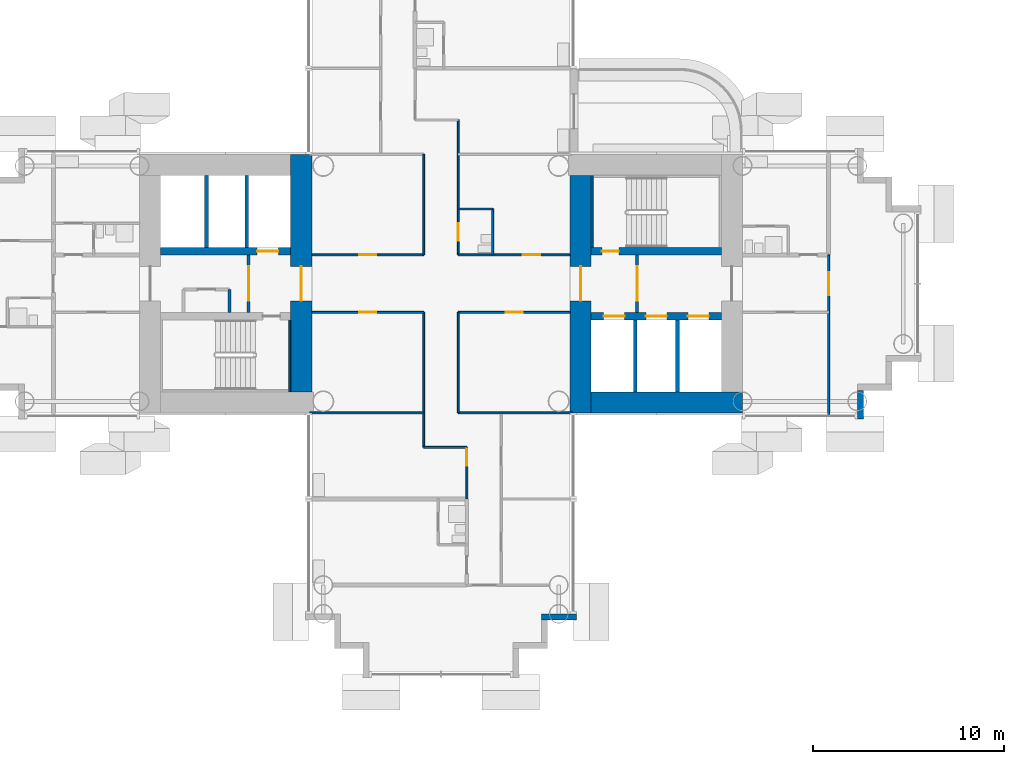
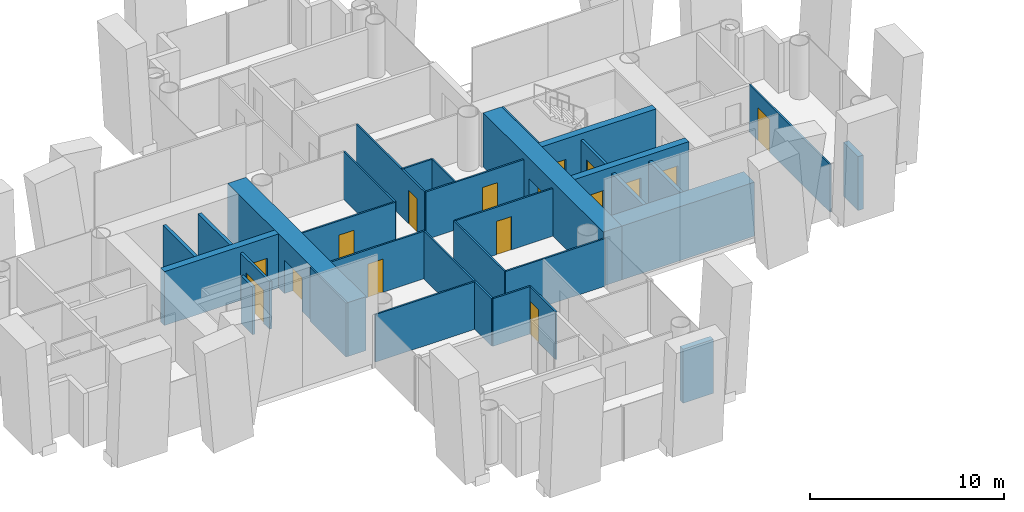
# One storey, part 11 of 23: 32 walls, 16 doors, 16 openings.
"""IFC4 building model written with IfcOpenShell, lengths in metres."""

from ifc_helpers import new_model, si_unit, direction, frame, frame_2d, origin, place, context, subcontext, project, spatial, rectangle, extrude, material, layer, layer_set, type_object, element, fill, save


model = new_model("IFC4")

# Units and contexts
model_context = context("Model", 3, precision=1e-05, world=origin(), true_north=direction((0.0, 1.0)))
body_context = subcontext(model_context, "Body", "Model", "MODEL_VIEW")
ifc_project = project(units=[si_unit("LENGTHUNIT", "METRE"), si_unit("AREAUNIT", "SQUARE_METRE"), si_unit("VOLUMEUNIT", "CUBIC_METRE"), si_unit("PLANEANGLEUNIT", "RADIAN"), si_unit("MASSUNIT", "GRAM", prefix="KILO")], contexts=[model_context])

# Site, building, storey
site_placement = place(None, origin())
site = spatial("IfcSite", under=ifc_project, at=site_placement, CompositionType="ELEMENT")
building_placement = place(site_placement, origin())
building = spatial("IfcBuilding", under=site, at=building_placement, Name="Ipe Terrace Towers", CompositionType="ELEMENT")
storey_placement = place(building_placement, frame((0.0, 0.0, 51.699951171875)))
storey = spatial("IfcBuildingStorey", under=building, at=storey_placement, Name="L13", CompositionType="ELEMENT", Elevation=51.699951171875)

# Walls
ifc_material_1 = material(Name="Concrete C40/50 with buff precast cladding", Category="concrete")
ifc_layer_1 = layer(ifc_material_1, 0.320068359375)
ifc_layer_set_1 = layer_set([ifc_layer_1], Name="BUFF CLADDING WALL 320")
wall_type_1 = type_object("IfcWallType", Name="BUFF CLADDING WALL 320", PredefinedType="STANDARD", material=ifc_layer_set_1)
wall_1_placement = place(storey_placement, frame((-30.75, -17.409912109375, -0.300048828125), z_axis=(0.0, 0.0, 1.0), x_axis=(1.0, 0.0, 0.0)))
element("IfcWall", 1, at=wall_1_placement, inside=storey, type_object=wall_type_1, Name="T1-W-L13-16a wall", PredefinedType="STANDARD", context=body_context, shape_type="SweptSolid", body=[
    extrude(rectangle(XDim=1.820068359375, YDim=0.320068359375, at=frame_2d((0.91015625, 0.0))), origin(), (0.0, 0.0, 1.0), 3.400146484375),
])
wall_2_placement = place(storey_placement, frame((-14.090087890625, -7.070068359375, -0.300048828125), z_axis=(0.0, 0.0, 1.0), x_axis=(0.0, 1.0, 0.0)))
element("IfcWall", 2, at=wall_2_placement, inside=storey, type_object=wall_type_1, Name="T1-W-L13-21a wall", PredefinedType="STANDARD", context=body_context, shape_type="SweptSolid", body=[
    extrude(rectangle(XDim=1.5, YDim=0.320068359375, at=frame_2d((0.75, 0.0))), origin(), (0.0, 0.0, 1.0), 3.400146484375),
])
ifc_material_2 = material(Name="Gypsum board partition", Category="plasterboard")
ifc_layer_2 = layer(ifc_material_2, 0.10009765625)
ifc_layer_set_2 = layer_set([ifc_layer_2], Name="Gypsum board partition 100 mm")
wall_type_2 = type_object("IfcWallType", Name="Gypsum board partition 100 mm", PredefinedType="PARTITIONING", material=ifc_layer_set_2)
wall_3_placement = place(storey_placement, frame((-36.89990234375, -8.550048828125, 0.0), z_axis=(0.0, 0.0, 1.0), x_axis=(0.0, 1.0, 0.0)))
element("IfcWall", 3, at=wall_3_placement, inside=storey, type_object=wall_type_2, Name="Gypsum board partition T1 L13 W07", PredefinedType="PARTITIONING", context=body_context, shape_type="SweptSolid", body=[
    extrude(rectangle(XDim=7.050048828125, YDim=0.10009765625, at=frame_2d((3.52490234375, 0.0))), origin(), (0.0, 0.0, 1.0), 3.0),
])
for number, where, z_axis, x_axis, name in (
    (4, (-36.89990234375, 1.5, 0.0), (0.0, 0.0, 1.0), (0.0, 1.0, 0.0), "Gypsum board partition T1 L13 W08"),
    (5, (-35.10009765625, -6.75, 0.0), (0.0, 0.0, 1.0), (0.0, 1.0, 0.0), "Gypsum board partition T1 L13 W11"),
):
    element("IfcWall", number, at=place(storey_placement, frame(where, z_axis=z_axis, x_axis=x_axis)), inside=storey, type_object=wall_type_2, Name=name, PredefinedType="PARTITIONING", context=body_context, shape_type="SweptSolid", body=[
        extrude(rectangle(XDim=5.25, YDim=0.10009765625, at=frame_2d((2.625, 0.0))), origin(), (0.0, 0.0, 1.0), 3.0),
    ])

# Wall, opening, door
wall_4_placement = place(storey_placement, frame((-35.10009765625, 1.5, 0.0), z_axis=(0.0, 0.0, 1.0), x_axis=(0.0, 1.0, 0.0)))
wall_4 = element("IfcWall", 6, at=wall_4_placement, inside=storey, type_object=wall_type_2, Name="Gypsum board partition T1 L13 W12", PredefinedType="PARTITIONING", context=body_context, shape_type="SweptSolid", body=[
    extrude(rectangle(XDim=7.050048828125, YDim=0.10009765625, at=frame_2d((3.52490234375, 0.0))), origin(), (0.0, 0.0, 1.0), 3.0),
])
opening_1_placement = place(wall_4_placement, frame((0.75, 0.0, 0.0)))
opening_1 = element("IfcOpeningElement", 7, at=opening_1_placement, cuts=wall_4, Name="Opening T1-Z1C-01", PredefinedType="OPENING", context=body_context, shape_type="SweptSolid", body=[
    extrude(rectangle(XDim=0.89990234375, YDim=2.10009765625, at=frame_2d((0.449951171875, 1.050048828125))), frame((0.0, 0.06005859375, 0.0), z_axis=(0.0, -1.0, 0.0), x_axis=(1.0, 0.0, 0.0)), (0.0, 0.0, 1.0), 0.1201171875),
])
ifc_material_3 = material(Name="Timber door leaf", Category="wood")
door_type_1 = type_object("IfcDoorType", Name="Bathroom door 900 x 2100", OperationType="NOTDEFINED", PredefinedType="DOOR", material=ifc_material_3)
door_1_placement = place(opening_1_placement, origin())
door_1 = element("IfcDoor", 8, at=door_1_placement, inside=storey, type_object=door_type_1, Name="Bathroom door T1-Z1C-01", OperationType="SINGLE_SWING_LEFT", OverallHeight=2.10009765625, OverallWidth=0.89990234375, PredefinedType="DOOR", context=body_context, shape_type="SweptSolid", body=[
    extrude(rectangle(XDim=0.89990234375, YDim=2.10009765625, at=frame_2d((0.449951171875, 1.050048828125))), frame((0.0, 0.02490234375, 0.0), z_axis=(0.0, -1.0, 0.0), x_axis=(1.0, 0.0, 0.0)), (0.0, 0.0, 1.0), 0.050048828125),
])
fill(opening_1, door_1)

wall_5_placement = place(storey_placement, frame((-34.64990234375, -11.25, 0.0), z_axis=(0.0, 0.0, 1.0), x_axis=(0.0, 1.0, 0.0)))
wall_5 = element("IfcWall", 9, at=wall_5_placement, inside=storey, type_object=wall_type_2, Name="Gypsum board partition T1 L13 W13", PredefinedType="PARTITIONING", context=body_context, shape_type="SweptSolid", body=[
    extrude(rectangle(XDim=2.699951171875, YDim=0.10009765625, at=frame_2d((1.35009765625, 0.0))), origin(), (0.0, 0.0, 1.0), 3.0),
])
opening_2_placement = place(wall_5_placement, frame((1.72998046875, 0.0, 0.0)))
opening_2 = element("IfcOpeningElement", 10, at=opening_2_placement, cuts=wall_5, Name="Opening T1-Z1C-14", PredefinedType="OPENING", context=body_context, shape_type="SweptSolid", body=[
    extrude(rectangle(XDim=0.89990234375, YDim=2.10009765625, at=frame_2d((0.449951171875, 1.050048828125))), frame((0.0, 0.06005859375, 0.0), z_axis=(0.0, -1.0, 0.0), x_axis=(1.0, 0.0, 0.0)), (0.0, 0.0, 1.0), 0.1201171875),
])
ifc_material_4 = material(Name="Timber door leaf", Category="wood")
door_type_2 = type_object("IfcDoorType", Name="Lounge door 900 x 2100", OperationType="NOTDEFINED", PredefinedType="DOOR", material=ifc_material_4)
door_2_placement = place(opening_2_placement, origin())
door_2 = element("IfcDoor", 11, at=door_2_placement, inside=storey, type_object=door_type_2, Name="Lounge door T1-Z1C-14", OperationType="SINGLE_SWING_LEFT", OverallHeight=2.10009765625, OverallWidth=0.89990234375, PredefinedType="DOOR", context=body_context, shape_type="SweptSolid", body=[
    extrude(rectangle(XDim=0.89990234375, YDim=2.10009765625, at=frame_2d((0.449951171875, 1.050048828125))), frame((0.0, 0.02490234375, 0.0), z_axis=(0.0, -1.0, 0.0), x_axis=(1.0, 0.0, 0.0)), (0.0, 0.0, 1.0), 0.050048828125),
])
fill(opening_2, door_2)

# Wall
wall_6_placement = place(storey_placement, frame((-33.300048828125, 1.5, 0.0), z_axis=(0.0, 0.0, 1.0), x_axis=(0.0, 1.0, 0.0)))
element("IfcWall", 12, at=wall_6_placement, inside=storey, type_object=wall_type_2, Name="Gypsum board partition T1 L13 W15", PredefinedType="PARTITIONING", context=body_context, shape_type="SweptSolid", body=[
    extrude(rectangle(XDim=2.39990234375, YDim=0.10009765625, at=frame_2d((1.199951171875, 0.0))), origin(), (0.0, 0.0, 1.0), 3.0),
])

# Wall, opening, door
wall_7_placement = place(storey_placement, frame((-15.75, -6.85009765625, 0.0), z_axis=(0.0, 0.0, 1.0), x_axis=(0.0, 1.0, 0.0)))
wall_7 = element("IfcWall", 13, at=wall_7_placement, inside=storey, type_object=wall_type_2, Name="Gypsum board partition T1 L13 W18", PredefinedType="PARTITIONING", context=body_context, shape_type="SweptSolid", body=[
    extrude(rectangle(XDim=8.35009765625, YDim=0.10009765625, at=frame_2d((4.175048828125, 0.0))), origin(), (0.0, 0.0, 1.0), 3.0),
])
opening_3_placement = place(wall_7_placement, frame((6.25, 0.0, 0.0)))
opening_3 = element("IfcOpeningElement", 14, at=opening_3_placement, cuts=wall_7, Name="Opening T1-Z1C-21", PredefinedType="OPENING", context=body_context, shape_type="SweptSolid", body=[
    extrude(rectangle(XDim=1.199951171875, YDim=2.10009765625, at=frame_2d((0.60009765625, 1.050048828125))), frame((0.0, 0.06005859375, 0.0), z_axis=(0.0, -1.0, 0.0), x_axis=(1.0, 0.0, 0.0)), (0.0, 0.0, 1.0), 0.1201171875),
])
ifc_material_5 = material(Name="Timber door leaf", Category="wood")
door_type_3 = type_object("IfcDoorType", Name="Lounge door 1200 x 2100", OperationType="NOTDEFINED", PredefinedType="DOOR", material=ifc_material_5)
door_3_placement = place(opening_3_placement, origin())
door_3 = element("IfcDoor", 15, at=door_3_placement, inside=storey, type_object=door_type_3, Name="Lounge door T1-Z1C-21", OperationType="SINGLE_SWING_RIGHT", OverallHeight=2.10009765625, OverallWidth=1.199951171875, PredefinedType="DOOR", context=body_context, shape_type="SweptSolid", body=[
    extrude(rectangle(XDim=1.199951171875, YDim=2.10009765625, at=frame_2d((0.60009765625, 1.050048828125))), frame((0.0, 0.02490234375, 0.0), z_axis=(0.0, -1.0, 0.0), x_axis=(1.0, 0.0, 0.0)), (0.0, 0.0, 1.0), 0.050048828125),
])
fill(opening_3, door_3)

# Walls
wall_8_placement = place(storey_placement, frame((-36.89990234375, -8.550048828125, 0.0), z_axis=(0.0, 0.0, 1.0), x_axis=(1.0, 0.0, 0.0)))
element("IfcWall", 16, at=wall_8_placement, inside=storey, type_object=wall_type_2, Name="Gypsum board partition T1 L13 W25", PredefinedType="PARTITIONING", context=body_context, shape_type="SweptSolid", body=[
    extrude(rectangle(XDim=2.25, YDim=0.10009765625, at=frame_2d((1.125, 0.0))), origin(), (0.0, 0.0, 1.0), 3.0),
])
for number, where, z_axis, x_axis, name in (
    (17, (-42.85009765625, -6.75, 0.0), (0.0, 0.0, 1.0), (1.0, 0.0, 0.0), "Gypsum board partition T1 L13 W26"),
    (18, (-35.10009765625, -6.75, 0.0), (0.0, 0.0, 1.0), (1.0, 0.0, 0.0), "Gypsum board partition T1 L13 W27"),
):
    element("IfcWall", number, at=place(storey_placement, frame(where, z_axis=z_axis, x_axis=x_axis)), inside=storey, type_object=wall_type_2, Name=name, PredefinedType="PARTITIONING", context=body_context, shape_type="SweptSolid", body=[
        extrude(rectangle(XDim=5.9501953125, YDim=0.10009765625, at=frame_2d((2.97509765625, 0.0))), origin(), (0.0, 0.0, 1.0), 3.0),
    ])

# Wall, opening, door
wall_9_placement = place(storey_placement, frame((-42.75, -1.5, 0.0), z_axis=(0.0, 0.0, 1.0), x_axis=(1.0, 0.0, 0.0)))
wall_9 = element("IfcWall", 19, at=wall_9_placement, inside=storey, type_object=wall_type_2, Name="Gypsum board partition T1 L13 W30", PredefinedType="PARTITIONING", context=body_context, shape_type="SweptSolid", body=[
    extrude(rectangle(XDim=5.85009765625, YDim=0.10009765625, at=frame_2d((2.925048828125, 0.0))), origin(), (0.0, 0.0, 1.0), 3.0),
])
opening_4_placement = place(wall_9_placement, frame((2.47509765625, 0.0, 0.0)))
opening_4 = element("IfcOpeningElement", 20, at=opening_4_placement, cuts=wall_9, Name="Opening T1-Z1C-04", PredefinedType="OPENING", context=body_context, shape_type="SweptSolid", body=[
    extrude(rectangle(XDim=0.89990234375, YDim=2.10009765625, at=frame_2d((0.449951171875, 1.050048828125))), frame((0.0, 0.06005859375, 0.0), z_axis=(0.0, -1.0, 0.0), x_axis=(1.0, 0.0, 0.0)), (0.0, 0.0, 1.0), 0.1201171875),
])
door_4_placement = place(opening_4_placement, origin())
door_4 = element("IfcDoor", 21, at=door_4_placement, inside=storey, type_object=door_type_2, Name="Lounge door T1-Z1C-04", OperationType="SINGLE_SWING_LEFT", OverallHeight=2.10009765625, OverallWidth=0.89990234375, PredefinedType="DOOR", context=body_context, shape_type="SweptSolid", body=[
    extrude(rectangle(XDim=0.89990234375, YDim=2.10009765625, at=frame_2d((0.449951171875, 1.050048828125))), frame((0.0, 0.02490234375, 0.0), z_axis=(0.0, -1.0, 0.0), x_axis=(1.0, 0.0, 0.0)), (0.0, 0.0, 1.0), 0.050048828125),
])
fill(opening_4, door_4)

wall_10_placement = place(storey_placement, frame((-35.10009765625, -1.5, 0.0), z_axis=(0.0, 0.0, 1.0), x_axis=(1.0, 0.0, 0.0)))
wall_10 = element("IfcWall", 22, at=wall_10_placement, inside=storey, type_object=wall_type_2, Name="Gypsum board partition T1 L13 W31", PredefinedType="PARTITIONING", context=body_context, shape_type="SweptSolid", body=[
    extrude(rectangle(XDim=5.85009765625, YDim=0.10009765625, at=frame_2d((2.925048828125, 0.0))), origin(), (0.0, 0.0, 1.0), 3.0),
])
opening_5_placement = place(wall_10_placement, frame((2.47509765625, 0.0, 0.0)))
opening_5 = element("IfcOpeningElement", 23, at=opening_5_placement, cuts=wall_10, Name="Opening T1-Z1C-05", PredefinedType="OPENING", context=body_context, shape_type="SweptSolid", body=[
    extrude(rectangle(XDim=0.89990234375, YDim=2.10009765625, at=frame_2d((0.449951171875, 1.050048828125))), frame((0.0, 0.06005859375, 0.0), z_axis=(0.0, -1.0, 0.0), x_axis=(1.0, 0.0, 0.0)), (0.0, 0.0, 1.0), 0.1201171875),
])
door_5_placement = place(opening_5_placement, origin())
door_5 = element("IfcDoor", 24, at=door_5_placement, inside=storey, type_object=door_type_2, Name="Lounge door T1-Z1C-05", OperationType="SINGLE_SWING_RIGHT", OverallHeight=2.10009765625, OverallWidth=0.89990234375, PredefinedType="DOOR", context=body_context, shape_type="SweptSolid", body=[
    extrude(rectangle(XDim=0.89990234375, YDim=2.10009765625, at=frame_2d((0.449951171875, 1.050048828125))), frame((0.0, 0.02490234375, 0.0), z_axis=(0.0, -1.0, 0.0), x_axis=(1.0, 0.0, 0.0)), (0.0, 0.0, 1.0), 0.050048828125),
])
fill(opening_5, door_5)

wall_11_placement = place(storey_placement, frame((-42.75, 1.5, 0.0), z_axis=(0.0, 0.0, 1.0), x_axis=(1.0, 0.0, 0.0)))
wall_11 = element("IfcWall", 25, at=wall_11_placement, inside=storey, type_object=wall_type_2, Name="Gypsum board partition T1 L13 W34", PredefinedType="PARTITIONING", context=body_context, shape_type="SweptSolid", body=[
    extrude(rectangle(XDim=5.85009765625, YDim=0.10009765625, at=frame_2d((2.925048828125, 0.0))), origin(), (0.0, 0.0, 1.0), 3.0),
])
opening_6_placement = place(wall_11_placement, frame((2.47509765625, 0.0, 0.0)))
opening_6 = element("IfcOpeningElement", 26, at=opening_6_placement, cuts=wall_11, Name="Opening T1-Z1C-03", PredefinedType="OPENING", context=body_context, shape_type="SweptSolid", body=[
    extrude(rectangle(XDim=0.89990234375, YDim=2.10009765625, at=frame_2d((0.449951171875, 1.050048828125))), frame((0.0, 0.06005859375, 0.0), z_axis=(0.0, -1.0, 0.0), x_axis=(1.0, 0.0, 0.0)), (0.0, 0.0, 1.0), 0.1201171875),
])
door_6_placement = place(opening_6_placement, origin())
door_6 = element("IfcDoor", 27, at=door_6_placement, inside=storey, type_object=door_type_2, Name="Lounge door T1-Z1C-03", OperationType="SINGLE_SWING_RIGHT", OverallHeight=2.10009765625, OverallWidth=0.89990234375, PredefinedType="DOOR", context=body_context, shape_type="SweptSolid", body=[
    extrude(rectangle(XDim=0.89990234375, YDim=2.10009765625, at=frame_2d((0.449951171875, 1.050048828125))), frame((0.0, 0.02490234375, 0.0), z_axis=(0.0, -1.0, 0.0), x_axis=(1.0, 0.0, 0.0)), (0.0, 0.0, 1.0), 0.050048828125),
])
fill(opening_6, door_6)

wall_12_placement = place(storey_placement, frame((-35.10009765625, 1.5, 0.0), z_axis=(0.0, 0.0, 1.0), x_axis=(1.0, 0.0, 0.0)))
wall_12 = element("IfcWall", 28, at=wall_12_placement, inside=storey, type_object=wall_type_2, Name="Gypsum board partition T1 L13 W35", PredefinedType="PARTITIONING", context=body_context, shape_type="SweptSolid", body=[
    extrude(rectangle(XDim=5.85009765625, YDim=0.10009765625, at=frame_2d((2.925048828125, 0.0))), origin(), (0.0, 0.0, 1.0), 3.0),
])
opening_7_placement = place(wall_12_placement, frame((3.375, 0.0, 0.0)))
opening_7 = element("IfcOpeningElement", 29, at=opening_7_placement, cuts=wall_12, Name="Opening T1-Z1C-02", PredefinedType="OPENING", context=body_context, shape_type="SweptSolid", body=[
    extrude(rectangle(XDim=0.89990234375, YDim=2.10009765625, at=frame_2d((0.449951171875, 1.050048828125))), frame((0.0, 0.06005859375, 0.0), z_axis=(0.0, -1.0, 0.0), x_axis=(1.0, 0.0, 0.0)), (0.0, 0.0, 1.0), 0.1201171875),
])
door_7_placement = place(opening_7_placement, origin())
door_7 = element("IfcDoor", 30, at=door_7_placement, inside=storey, type_object=door_type_2, Name="Lounge door T1-Z1C-02", OperationType="SINGLE_SWING_LEFT", OverallHeight=2.10009765625, OverallWidth=0.89990234375, PredefinedType="DOOR", context=body_context, shape_type="SweptSolid", body=[
    extrude(rectangle(XDim=0.89990234375, YDim=2.10009765625, at=frame_2d((0.449951171875, 1.050048828125))), frame((0.0, 0.02490234375, 0.0), z_axis=(0.0, -1.0, 0.0), x_axis=(1.0, 0.0, 0.0)), (0.0, 0.0, 1.0), 0.050048828125),
])
fill(opening_7, door_7)

# Wall
wall_13_placement = place(storey_placement, frame((-35.10009765625, 3.89990234375, 0.0), z_axis=(0.0, 0.0, 1.0), x_axis=(1.0, 0.0, 0.0)))
element("IfcWall", 31, at=wall_13_placement, inside=storey, type_object=wall_type_2, Name="Gypsum board partition T1 L13 W41", PredefinedType="PARTITIONING", context=body_context, shape_type="SweptSolid", body=[
    extrude(rectangle(XDim=1.800048828125, YDim=0.10009765625, at=frame_2d((0.89990234375, 0.0))), origin(), (0.0, 0.0, 1.0), 3.0),
])

# Wall, opening, door
ifc_material_6 = material(Name="Gypsum board partition", Category="plasterboard")
ifc_layer_3 = layer(ifc_material_6, 0.14990234375)
ifc_layer_set_3 = layer_set([ifc_layer_3], Name="Gypsum board partition 150 mm")
wall_type_3 = type_object("IfcWallType", Name="Gypsum board partition 150 mm", PredefinedType="PARTITIONING", material=ifc_layer_set_3)
wall_14_placement = place(storey_placement, frame((-25.75, -1.5, 0.0), z_axis=(0.0, 0.0, 1.0), x_axis=(0.0, 1.0, 0.0)))
wall_14 = element("IfcWall", 32, at=wall_14_placement, inside=storey, type_object=wall_type_3, Name="Gypsum board partition T1 L13 t1c1-lobby-wall", PredefinedType="PARTITIONING", context=body_context, shape_type="SweptSolid", body=[
    extrude(rectangle(XDim=3.0, YDim=0.14990234375, at=frame_2d((1.5, 0.0))), origin(), (0.0, 0.0, 1.0), 3.0),
])
opening_8_placement = place(wall_14_placement, frame((0.60009765625, 0.0, 0.0)))
opening_8 = element("IfcOpeningElement", 33, at=opening_8_placement, cuts=wall_14, Name="Opening T1C1-VD", PredefinedType="OPENING", context=body_context, shape_type="SweptSolid", body=[
    extrude(rectangle(XDim=1.800048828125, YDim=2.10009765625, at=frame_2d((0.89990234375, 1.050048828125))), frame((0.0, 0.0849609375, 0.0), z_axis=(0.0, -1.0, 0.0), x_axis=(1.0, 0.0, 0.0)), (0.0, 0.0, 1.0), 0.169921875),
])
ifc_material_7 = material(Name="Fire-rated timber door leaf", Category="wood")
door_type_4 = type_object("IfcDoorType", Name="Lobby door 1800 x 2100 FD60", OperationType="NOTDEFINED", PredefinedType="DOOR", material=ifc_material_7)
door_8_placement = place(opening_8_placement, origin())
door_8 = element("IfcDoor", 34, at=door_8_placement, inside=storey, type_object=door_type_4, Name="Lobby door T1C1-VD", OperationType="SINGLE_SWING_LEFT", OverallHeight=2.10009765625, OverallWidth=1.800048828125, PredefinedType="DOOR", context=body_context, shape_type="SweptSolid", body=[
    extrude(rectangle(XDim=1.800048828125, YDim=2.10009765625, at=frame_2d((0.89990234375, 1.050048828125))), frame((0.0, 0.02490234375, 0.0), z_axis=(0.0, -1.0, 0.0), x_axis=(1.0, 0.0, 0.0)), (0.0, 0.0, 1.0), 0.050048828125),
])
fill(opening_8, door_8)

wall_15_placement = place(storey_placement, frame((-46.050048828125, 1.5, 0.0), z_axis=(0.0, 0.0, 1.0), x_axis=(0.0, -1.0, 0.0)))
wall_15 = element("IfcWall", 35, at=wall_15_placement, inside=storey, type_object=wall_type_3, Name="Gypsum board partition T1 L13 t1c2-lobby-wall", PredefinedType="PARTITIONING", context=body_context, shape_type="SweptSolid", body=[
    extrude(rectangle(XDim=3.0, YDim=0.14990234375, at=frame_2d((1.5, 0.0))), origin(), (0.0, 0.0, 1.0), 3.0),
])
opening_9_placement = place(wall_15_placement, frame((0.60009765625, 0.0, 0.0)))
opening_9 = element("IfcOpeningElement", 36, at=opening_9_placement, cuts=wall_15, Name="Opening T1C2-VD", PredefinedType="OPENING", context=body_context, shape_type="SweptSolid", body=[
    extrude(rectangle(XDim=1.800048828125, YDim=2.10009765625, at=frame_2d((0.89990234375, 1.050048828125))), frame((0.0, 0.0849609375, 0.0), z_axis=(0.0, -1.0, 0.0), x_axis=(1.0, 0.0, 0.0)), (0.0, 0.0, 1.0), 0.169921875),
])
door_9_placement = place(opening_9_placement, origin())
door_9 = element("IfcDoor", 37, at=door_9_placement, inside=storey, type_object=door_type_4, Name="Lobby door T1C2-VD", OperationType="SINGLE_SWING_LEFT", OverallHeight=2.10009765625, OverallWidth=1.800048828125, PredefinedType="DOOR", context=body_context, shape_type="SweptSolid", body=[
    extrude(rectangle(XDim=1.800048828125, YDim=2.10009765625, at=frame_2d((0.89990234375, 1.050048828125))), frame((0.0, 0.02490234375, 0.0), z_axis=(0.0, -1.0, 0.0), x_axis=(1.0, 0.0, 0.0)), (0.0, 0.0, 1.0), 0.050048828125),
])
fill(opening_9, door_9)

# Walls
wall_16_placement = place(storey_placement, frame((-47.050048828125, -0.300048828125, 0.0), z_axis=(0.0, 0.0, 1.0), x_axis=(0.0, -1.0, 0.0)))
element("IfcWall", 38, at=wall_16_placement, inside=storey, type_object=wall_type_3, Name="Gypsum board partition T1 L13 t1c2-cup-n-a", PredefinedType="PARTITIONING", context=body_context, shape_type="SweptSolid", body=[
    extrude(rectangle(XDim=1.199951171875, YDim=0.14990234375, at=frame_2d((0.60009765625, 0.0))), origin(), (0.0, 0.0, 1.0), 3.0),
])
ifc_material_8 = material(Name="Gypsum board party wall", Category="plasterboard")
ifc_layer_4 = layer(ifc_material_8, 0.199951171875)
ifc_layer_set_4 = layer_set([ifc_layer_4], Name="Gypsum board party wall 200 mm")
wall_type_4 = type_object("IfcWallType", Name="Gypsum board party wall 200 mm", PredefinedType="SOLIDWALL", material=ifc_layer_set_4)
for number, where, z_axis, x_axis, name in (
    (39, (-25.85009765625, -5.64990234375, 0.0), (0.0, 0.0, 1.0), (0.0, 1.0, 0.0), "Gypsum board party wall T1 L13 t1c1-shaft-div1"),
    (40, (-23.64990234375, -5.64990234375, 0.0), (0.0, 0.0, 1.0), (0.0, 1.0, 0.0), "Gypsum board party wall T1 L13 t1c1-shaft-div2"),
    (41, (-46.14990234375, 5.64990234375, 0.0), (0.0, 0.0, 1.0), (0.0, -1.0, 0.0), "Gypsum board party wall T1 L13 t1c2-shaft-div1"),
    (42, (-48.25, 5.64990234375, 0.0), (0.0, 0.0, 1.0), (0.0, -1.0, 0.0), "Gypsum board party wall T1 L13 t1c2-shaft-div2"),
):
    element("IfcWall", number, at=place(storey_placement, frame(where, z_axis=z_axis, x_axis=x_axis)), inside=storey, type_object=wall_type_4, Name=name, PredefinedType="SOLIDWALL", context=body_context, shape_type="SweptSolid", body=[
        extrude(rectangle(XDim=3.75, YDim=0.199951171875, at=frame_2d((1.875, 0.0))), origin(), (0.0, 0.0, 1.0), 3.0),
    ])
ifc_material_9 = material(Name="Concrete C60/75", Category="concrete")
ifc_layer_5 = layer(ifc_material_9, 0.10009765625)
ifc_layer_set_5 = layer_set([ifc_layer_5], Name="RW100 CORE INFILL WALL 100 C60-75")
wall_type_5 = type_object("IfcWallType", Name="RW100 CORE INFILL WALL 100 C60-75", PredefinedType="SHEAR", material=ifc_layer_set_5)
for number, where, z_axis, x_axis, name in (
    (43, (-28.10009765625, 1.89990234375, 0.0), (0.0, 0.0, 1.0), (0.0, 1.0, 0.0), "Core infill wall T1-C1-near"),
    (44, (-43.89990234375, -1.89990234375, 0.0), (0.0, 0.0, 1.0), (0.0, -1.0, 0.0), "Core infill wall T1-C2-near"),
):
    element("IfcWall", number, at=place(storey_placement, frame(where, z_axis=z_axis, x_axis=x_axis)), inside=storey, type_object=wall_type_5, Name=name, PredefinedType="SHEAR", context=body_context, shape_type="SweptSolid", body=[
        extrude(rectangle(XDim=3.75, YDim=0.10009765625, at=frame_2d((1.875, 0.0))), origin(), (0.0, 0.0, 1.0), 3.400146484375),
    ])
ifc_material_10 = material(Name="Concrete C60/75", Category="concrete")
ifc_layer_6 = layer(ifc_material_10, 1.10009765625)
ifc_layer_set_6 = layer_set([ifc_layer_6], Name="RW1100 CORE WALL 1100 C60-75")
wall_type_6 = type_object("IfcWallType", Name="RW1100 CORE WALL 1100 C60-75", PredefinedType="SHEAR", material=ifc_layer_set_6)
wall_17_placement = place(storey_placement, frame((-28.14990234375, -6.199951171875, 0.0), z_axis=(0.0, 0.0, 1.0), x_axis=(1.0, 0.0, 0.0)))
element("IfcWall", 45, at=wall_17_placement, inside=storey, type_object=wall_type_6, Name="Core wall T1-C1-Z1-W01", PredefinedType="SHEAR", context=body_context, shape_type="SweptSolid", body=[
    extrude(rectangle(XDim=7.89990234375, YDim=1.10009765625, at=frame_2d((3.949951171875, 0.0))), origin(), (0.0, 0.0, 1.0), 3.400146484375),
])

# Wall, opening, door
wall_18_placement = place(storey_placement, frame((-28.699951171875, 5.64990234375, 0.0), z_axis=(0.0, 0.0, 1.0), x_axis=(0.0, -1.0, 0.0)))
wall_18 = element("IfcWall", 46, at=wall_18_placement, inside=storey, type_object=wall_type_6, Name="Core wall T1-C1-Z1-W04", PredefinedType="SHEAR", context=body_context, shape_type="SweptSolid", body=[
    extrude(rectangle(XDim=12.39990234375, YDim=1.10009765625, at=frame_2d((6.199951171875, 0.0))), origin(), (0.0, 0.0, 1.0), 3.400146484375),
])
opening_10_placement = place(wall_18_placement, frame((4.75, 0.0, 0.0)))
opening_10 = element("IfcOpeningElement", 47, at=opening_10_placement, cuts=wall_18, Name="Opening T1C1-ND", PredefinedType="OPENING", context=body_context, shape_type="SweptSolid", body=[
    extrude(rectangle(XDim=1.800048828125, YDim=2.10009765625, at=frame_2d((0.89990234375, 1.050048828125))), frame((0.0, 0.56005859375, 0.0), z_axis=(0.0, -1.0, 0.0), x_axis=(1.0, 0.0, 0.0)), (0.0, 0.0, 1.0), 1.1201171875),
])
ifc_material_11 = material(Name="Fire-rated timber door leaf", Category="wood")
door_type_5 = type_object("IfcDoorType", Name="Fire door 1800 x 2100 FD30S", OperationType="NOTDEFINED", PredefinedType="DOOR", material=ifc_material_11)
door_10_placement = place(opening_10_placement, origin())
door_10 = element("IfcDoor", 48, at=door_10_placement, inside=storey, type_object=door_type_5, Name="Fire door T1C1-ND", OperationType="SINGLE_SWING_LEFT", OverallHeight=2.10009765625, OverallWidth=1.800048828125, PredefinedType="DOOR", context=body_context, shape_type="SweptSolid", body=[
    extrude(rectangle(XDim=1.800048828125, YDim=2.10009765625, at=frame_2d((0.89990234375, 1.050048828125))), frame((0.0, 0.02490234375, 0.0), z_axis=(0.0, -1.0, 0.0), x_axis=(1.0, 0.0, 0.0)), (0.0, 0.0, 1.0), 0.050048828125),
])
fill(opening_10, door_10)

wall_19_placement = place(storey_placement, frame((-43.300048828125, -5.64990234375, 0.0), z_axis=(0.0, 0.0, 1.0), x_axis=(0.0, 1.0, 0.0)))
wall_19 = element("IfcWall", 49, at=wall_19_placement, inside=storey, type_object=wall_type_6, Name="Core wall T1-C2-Z1-W02", PredefinedType="SHEAR", context=body_context, shape_type="SweptSolid", body=[
    extrude(rectangle(XDim=12.39990234375, YDim=1.10009765625, at=frame_2d((6.199951171875, 0.0))), origin(), (0.0, 0.0, 1.0), 3.400146484375),
])
opening_11_placement = place(wall_19_placement, frame((4.75, 0.0, 0.0)))
opening_11 = element("IfcOpeningElement", 50, at=opening_11_placement, cuts=wall_19, Name="Opening T1C2-ND", PredefinedType="OPENING", context=body_context, shape_type="SweptSolid", body=[
    extrude(rectangle(XDim=1.800048828125, YDim=2.10009765625, at=frame_2d((0.89990234375, 1.050048828125))), frame((0.0, 0.56005859375, 0.0), z_axis=(0.0, -1.0, 0.0), x_axis=(1.0, 0.0, 0.0)), (0.0, 0.0, 1.0), 1.1201171875),
])
door_11_placement = place(opening_11_placement, origin())
door_11 = element("IfcDoor", 51, at=door_11_placement, inside=storey, type_object=door_type_5, Name="Fire door T1C2-ND", OperationType="SINGLE_SWING_LEFT", OverallHeight=2.10009765625, OverallWidth=1.800048828125, PredefinedType="DOOR", context=body_context, shape_type="SweptSolid", body=[
    extrude(rectangle(XDim=1.800048828125, YDim=2.10009765625, at=frame_2d((0.89990234375, 1.050048828125))), frame((0.0, 0.02490234375, 0.0), z_axis=(0.0, -1.0, 0.0), x_axis=(1.0, 0.0, 0.0)), (0.0, 0.0, 1.0), 0.050048828125),
])
fill(opening_11, door_11)

# Wall, openings, doors
ifc_material_12 = material(Name="Concrete C60/75", Category="concrete")
ifc_layer_7 = layer(ifc_material_12, 0.39990234375)
ifc_layer_set_7 = layer_set([ifc_layer_7], Name="RW400 CORE SPINE WALL 400 C60-75")
wall_type_7 = type_object("IfcWallType", Name="RW400 CORE SPINE WALL 400 C60-75", PredefinedType="SHEAR", material=ifc_layer_set_7)
wall_20_placement = place(storey_placement, frame((-28.14990234375, -1.699951171875, 0.0), z_axis=(0.0, 0.0, 1.0), x_axis=(1.0, 0.0, 0.0)))
wall_20 = element("IfcWall", 52, at=wall_20_placement, inside=storey, type_object=wall_type_7, Name="Core spine wall T1-C1-Z1-SW1", PredefinedType="SHEAR", context=body_context, shape_type="SweptSolid", body=[
    extrude(rectangle(XDim=6.7998046875, YDim=0.39990234375, at=frame_2d((3.39990234375, 0.0))), origin(), (0.0, 0.0, 1.0), 3.400146484375),
])
opening_12_placement = place(wall_20_placement, frame((0.64990234375, 0.0, 0.0)))
opening_12 = element("IfcOpeningElement", 53, at=opening_12_placement, cuts=wall_20, Name="Opening T1C1-LD1", PredefinedType="OPENING", context=body_context, shape_type="SweptSolid", body=[
    extrude(rectangle(XDim=1.10009765625, YDim=2.10009765625, at=frame_2d((0.550048828125, 1.050048828125))), frame((0.0, 0.2099609375, 0.0), z_axis=(0.0, -1.0, 0.0), x_axis=(1.0, 0.0, 0.0)), (0.0, 0.0, 1.0), 0.419921875),
])
opening_13_placement = place(wall_20_placement, frame((2.85009765625, 0.0, 0.0)))
opening_13 = element("IfcOpeningElement", 54, at=opening_13_placement, cuts=wall_20, Name="Opening T1C1-LD2", PredefinedType="OPENING", context=body_context, shape_type="SweptSolid", body=[
    extrude(rectangle(XDim=1.10009765625, YDim=2.10009765625, at=frame_2d((0.550048828125, 1.050048828125))), frame((0.0, 0.2099609375, 0.0), z_axis=(0.0, -1.0, 0.0), x_axis=(1.0, 0.0, 0.0)), (0.0, 0.0, 1.0), 0.419921875),
])
opening_14_placement = place(wall_20_placement, frame((5.050048828125, 0.0, 0.0)))
opening_14 = element("IfcOpeningElement", 55, at=opening_14_placement, cuts=wall_20, Name="Opening T1C1-LD3", PredefinedType="OPENING", context=body_context, shape_type="SweptSolid", body=[
    extrude(rectangle(XDim=1.10009765625, YDim=2.10009765625, at=frame_2d((0.550048828125, 1.050048828125))), frame((0.0, 0.2099609375, 0.0), z_axis=(0.0, -1.0, 0.0), x_axis=(1.0, 0.0, 0.0)), (0.0, 0.0, 1.0), 0.419921875),
])
ifc_material_13 = material(Name="Fire-rated timber door leaf", Category="wood")
door_type_6 = type_object("IfcDoorType", Name="Sliding door 1100 x 2100 FD60", OperationType="SLIDING_TO_LEFT", PredefinedType="DOOR", material=ifc_material_13)
door_12_placement = place(opening_12_placement, origin())
door_12 = element("IfcDoor", 56, at=door_12_placement, inside=storey, type_object=door_type_6, Name="Sliding door T1C1-LD1", OperationType="SLIDING_TO_LEFT", OverallHeight=2.10009765625, OverallWidth=1.10009765625, PredefinedType="DOOR", context=body_context, shape_type="SweptSolid", body=[
    extrude(rectangle(XDim=1.10009765625, YDim=2.10009765625, at=frame_2d((0.550048828125, 1.050048828125))), frame((0.0, 0.02490234375, 0.0), z_axis=(0.0, -1.0, 0.0), x_axis=(1.0, 0.0, 0.0)), (0.0, 0.0, 1.0), 0.050048828125),
])
fill(opening_12, door_12)
door_13_placement = place(opening_13_placement, origin())
door_13 = element("IfcDoor", 57, at=door_13_placement, inside=storey, type_object=door_type_6, Name="Sliding door T1C1-LD2", OperationType="SLIDING_TO_LEFT", OverallHeight=2.10009765625, OverallWidth=1.10009765625, PredefinedType="DOOR", context=body_context, shape_type="SweptSolid", body=[
    extrude(rectangle(XDim=1.10009765625, YDim=2.10009765625, at=frame_2d((0.550048828125, 1.050048828125))), frame((0.0, 0.02490234375, 0.0), z_axis=(0.0, -1.0, 0.0), x_axis=(1.0, 0.0, 0.0)), (0.0, 0.0, 1.0), 0.050048828125),
])
fill(opening_13, door_13)
door_14_placement = place(opening_14_placement, origin())
door_14 = element("IfcDoor", 58, at=door_14_placement, inside=storey, type_object=door_type_6, Name="Sliding door T1C1-LD3", OperationType="SLIDING_TO_LEFT", OverallHeight=2.10009765625, OverallWidth=1.10009765625, PredefinedType="DOOR", context=body_context, shape_type="SweptSolid", body=[
    extrude(rectangle(XDim=1.10009765625, YDim=2.10009765625, at=frame_2d((0.550048828125, 1.050048828125))), frame((0.0, 0.02490234375, 0.0), z_axis=(0.0, -1.0, 0.0), x_axis=(1.0, 0.0, 0.0)), (0.0, 0.0, 1.0), 0.050048828125),
])
fill(opening_14, door_14)

# Wall, opening, door
wall_21_placement = place(storey_placement, frame((-28.14990234375, 1.699951171875, 0.0), z_axis=(0.0, 0.0, 1.0), x_axis=(1.0, 0.0, 0.0)))
wall_21 = element("IfcWall", 59, at=wall_21_placement, inside=storey, type_object=wall_type_7, Name="Core spine wall T1-C1-Z1-SW2", PredefinedType="SHEAR", context=body_context, shape_type="SweptSolid", body=[
    extrude(rectangle(XDim=6.7998046875, YDim=0.39990234375, at=frame_2d((3.39990234375, 0.0))), origin(), (0.0, 0.0, 1.0), 3.400146484375),
])
opening_15_placement = place(wall_21_placement, frame((0.550048828125, 0.0, 0.0)))
opening_15 = element("IfcOpeningElement", 60, at=opening_15_placement, cuts=wall_21, Name="Opening T1C1-SD", PredefinedType="OPENING", context=body_context, shape_type="SweptSolid", body=[
    extrude(rectangle(XDim=0.89990234375, YDim=2.10009765625, at=frame_2d((0.449951171875, 1.050048828125))), frame((0.0, 0.2099609375, 0.0), z_axis=(0.0, -1.0, 0.0), x_axis=(1.0, 0.0, 0.0)), (0.0, 0.0, 1.0), 0.419921875),
])
ifc_material_14 = material(Name="Fire-rated timber door leaf", Category="wood")
door_type_7 = type_object("IfcDoorType", Name="Stair door 900 x 2100 FD60", OperationType="NOTDEFINED", PredefinedType="DOOR", material=ifc_material_14)
door_15_placement = place(opening_15_placement, origin())
door_15 = element("IfcDoor", 61, at=door_15_placement, inside=storey, type_object=door_type_7, Name="Stair door T1C1-SD", OperationType="SINGLE_SWING_LEFT", OverallHeight=2.10009765625, OverallWidth=0.89990234375, PredefinedType="DOOR", context=body_context, shape_type="SweptSolid", body=[
    extrude(rectangle(XDim=0.89990234375, YDim=2.10009765625, at=frame_2d((0.449951171875, 1.050048828125))), frame((0.0, 0.02490234375, 0.0), z_axis=(0.0, -1.0, 0.0), x_axis=(1.0, 0.0, 0.0)), (0.0, 0.0, 1.0), 0.050048828125),
])
fill(opening_15, door_15)

wall_22_placement = place(storey_placement, frame((-50.64990234375, 1.699951171875, 0.0), z_axis=(0.0, 0.0, 1.0), x_axis=(1.0, 0.0, 0.0)))
wall_22 = element("IfcWall", 62, at=wall_22_placement, inside=storey, type_object=wall_type_7, Name="Core spine wall T1-C2-Z1-SW2", PredefinedType="SHEAR", context=body_context, shape_type="SweptSolid", body=[
    extrude(rectangle(XDim=6.7998046875, YDim=0.39990234375, at=frame_2d((3.39990234375, 0.0))), origin(), (0.0, 0.0, 1.0), 3.400146484375),
])
opening_16_placement = place(wall_22_placement, frame((5.050048828125, 0.0, 0.0)))
opening_16 = element("IfcOpeningElement", 63, at=opening_16_placement, cuts=wall_22, Name="Opening T1C2-LD1", PredefinedType="OPENING", context=body_context, shape_type="SweptSolid", body=[
    extrude(rectangle(XDim=1.10009765625, YDim=2.10009765625, at=frame_2d((0.550048828125, 1.050048828125))), frame((0.0, 0.2099609375, 0.0), z_axis=(0.0, -1.0, 0.0), x_axis=(1.0, 0.0, 0.0)), (0.0, 0.0, 1.0), 0.419921875),
])
door_16_placement = place(opening_16_placement, origin())
door_16 = element("IfcDoor", 64, at=door_16_placement, inside=storey, type_object=door_type_6, Name="Sliding door T1C2-LD1", OperationType="SLIDING_TO_LEFT", OverallHeight=2.10009765625, OverallWidth=1.10009765625, PredefinedType="DOOR", context=body_context, shape_type="SweptSolid", body=[
    extrude(rectangle(XDim=1.10009765625, YDim=2.10009765625, at=frame_2d((0.550048828125, 1.050048828125))), frame((0.0, 0.02490234375, 0.0), z_axis=(0.0, -1.0, 0.0), x_axis=(1.0, 0.0, 0.0)), (0.0, 0.0, 1.0), 0.050048828125),
])
fill(opening_16, door_16)

save(model, "model.ifc")
